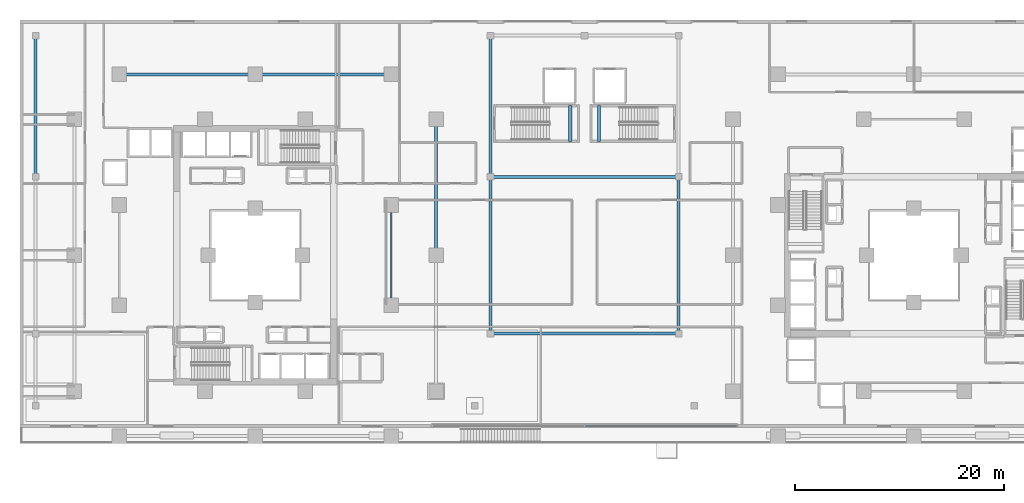
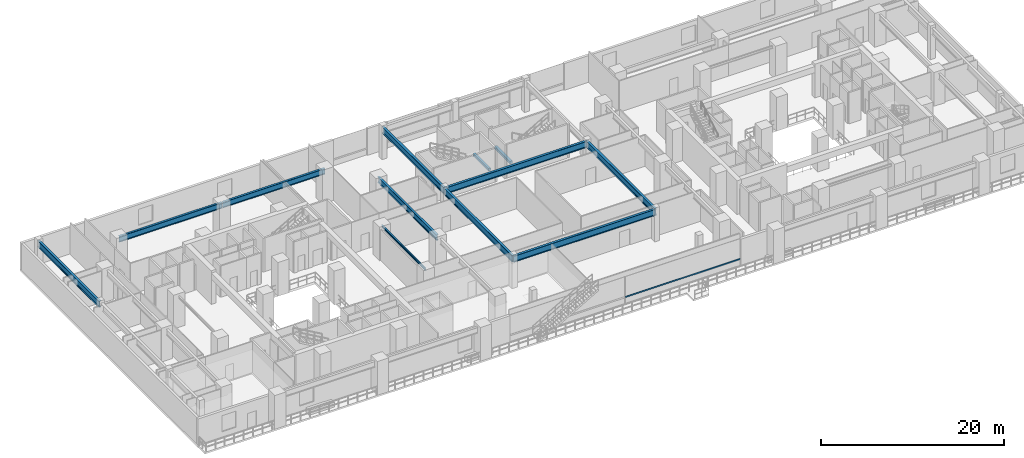
# One storey, part 3 of 22: 12 beams, 1 member, 1 element without a shape of its own.
"""IFC4 building model written with IfcOpenShell, lengths in metres."""

from ifc_helpers import new_model, si_unit, direction, frame, origin, origin_2d, place, context, subcontext, project, spatial, rectangle, hollow_rectangle, i_section, extrude, material, material_profile, profile_set, type_object, element, aggregate, save


model = new_model("IFC4")

# Units and contexts
model_context = context("Model", 3, precision=1e-05, world=origin(), true_north=direction((0.0, 1.0)))
body_context = subcontext(model_context, "Body", "Model", "MODEL_VIEW")
ifc_project = project(units=[si_unit("LENGTHUNIT", "METRE"), si_unit("AREAUNIT", "SQUARE_METRE"), si_unit("VOLUMEUNIT", "CUBIC_METRE"), si_unit("PLANEANGLEUNIT", "RADIAN"), si_unit("MASSUNIT", "GRAM", prefix="KILO")], contexts=[model_context])

# Site, building, storey
site_placement = place(None, origin())
site = spatial("IfcSite", under=ifc_project, at=site_placement, CompositionType="ELEMENT")
building_placement = place(site_placement, origin())
building = spatial("IfcBuilding", under=site, at=building_placement, Name="Thornwick Lancets Civic Towers", CompositionType="ELEMENT")
storey_placement = place(building_placement, frame((0.0, 0.0, 18.60009765625)))
storey = spatial("IfcBuildingStorey", under=building, at=storey_placement, Name="L04", CompositionType="ELEMENT", Elevation=18.60009765625)

# Beams
ifc_material_1 = material(Name="Steel S355JR", Category="steel")
ifc_material_profile_1 = material_profile(ifc_material_1, i_section(OverallWidth=0.26806640625, OverallDepth=0.769775390625, WebThickness=0.015625, FlangeThickness=0.025390625, FilletRadius=0.0166015625, at=origin_2d()), Name="UKB 762x267x197")
ifc_profile_set_1 = profile_set([ifc_material_profile_1], Name="Steel S355JR")
beam_type_1 = type_object("IfcBeamType", Name="BM_GIRD_762_197", PredefinedType="BEAM", material=ifc_profile_set_1)
beam_1_placement = place(storey_placement, frame((42.800048828125, 27.080078125, 3.794921875), z_axis=(0.0, 1.0, 0.0), x_axis=(-1.0, 0.0, 0.0)))
element("IfcBeam", 1, at=beam_1_placement, inside=storey, type_object=beam_type_1, Name="BM-SPINE-L04-A-4-5", PredefinedType="BEAM", context=body_context, shape_type="SweptSolid", body=[
    extrude(i_section(OverallWidth=0.26806640625, OverallDepth=0.769775390625, WebThickness=0.015625, FlangeThickness=0.025390625, FilletRadius=0.0166015625, at=origin_2d()), origin(), (0.0, 0.0, 1.0), 12.919921875),
])
beam_2_placement = place(storey_placement, frame((12.5, 44.300048828125, 3.794921875), z_axis=(1.0, 0.0, 0.0), x_axis=(0.0, 1.0, 0.0)))
element("IfcBeam", 2, at=beam_2_placement, inside=storey, type_object=beam_type_1, Name="BM-SPINE-L04-A-6-7", PredefinedType="BEAM", context=body_context, shape_type="SweptSolid", body=[
    extrude(i_section(OverallWidth=0.26806640625, OverallDepth=0.769775390625, WebThickness=0.015625, FlangeThickness=0.025390625, FilletRadius=0.0166015625, at=origin_2d()), origin(), (0.0, 0.0, 1.0), 13.0),
])
beam_3_placement = place(storey_placement, frame((25.580078125, 44.300048828125, 3.794921875), z_axis=(1.0, 0.0, 0.0), x_axis=(0.0, 1.0, 0.0)))
element("IfcBeam", 3, at=beam_3_placement, inside=storey, type_object=beam_type_1, Name="BM-SPINE-L04-A-7-8", PredefinedType="BEAM", context=body_context, shape_type="SweptSolid", body=[
    extrude(i_section(OverallWidth=0.26806640625, OverallDepth=0.769775390625, WebThickness=0.015625, FlangeThickness=0.025390625, FilletRadius=0.0166015625, at=origin_2d()), origin(), (0.0, 0.0, 1.0), 12.919921875),
])
ifc_material_profile_2 = material_profile(ifc_material_1, i_section(OverallWidth=0.1669921875, OverallDepth=0.310302734375, WebThickness=0.0078125, FlangeThickness=0.013671875, FilletRadius=0.0087890625, at=origin_2d()), Name="UKB 305x165x54")
ifc_profile_set_2 = profile_set([ifc_material_profile_2], Name="Steel S355JR")
beam_type_2 = type_object("IfcBeamType", Name="BM_LINTEL_305_54", PredefinedType="LINTEL", material=ifc_profile_set_2)
beam_4_placement = place(storey_placement, frame((38.5, 22.199951171875, 4.024658203125), z_axis=(0.0, 1.0, 0.0), x_axis=(-1.0, 0.0, 0.0)))
element("IfcBeam", 4, at=beam_4_placement, inside=storey, type_object=beam_type_2, Name="BM-INSP-L04-A-1-3", PredefinedType="LINTEL", context=body_context, shape_type="SweptSolid", body=[
    extrude(i_section(OverallWidth=0.1669921875, OverallDepth=0.310302734375, WebThickness=0.0078125, FlangeThickness=0.013671875, FilletRadius=0.0087890625, at=origin_2d()), origin(), (0.0, 0.0, 1.0), 9.60009765625),
])
ifc_material_profile_3 = material_profile(ifc_material_1, i_section(OverallWidth=0.293701171875, OverallDepth=0.850830078125, WebThickness=0.01611328125, FlangeThickness=0.02685546875, FilletRadius=0.017822265625, at=origin_2d()), Name="UKB 838x292x226")
ifc_profile_set_3 = profile_set([ifc_material_profile_3], Name="Steel S355JR")
beam_type_3 = type_object("IfcBeamType", Name="BM_POD_838_226", PredefinedType="BEAM", material=ifc_profile_set_3)
beam_5_placement = place(storey_placement, frame((4.5, 34.580078125, 3.75439453125), z_axis=(0.0, 1.0, 0.0), x_axis=(-1.0, 0.0, 0.0)))
element("IfcBeam", 5, at=beam_5_placement, inside=storey, type_object=beam_type_3, Name="BM-PODG-L04-5-6", PredefinedType="BEAM", context=body_context, shape_type="SweptSolid", body=[
    extrude(i_section(OverallWidth=0.293701171875, OverallDepth=0.850830078125, WebThickness=0.01611328125, FlangeThickness=0.02685546875, FilletRadius=0.017822265625, at=origin_2d()), origin(), (0.0, 0.0, 1.0), 13.419921875),
])
beam_6_placement = place(storey_placement, frame((48.0, 19.5, 3.75439453125), z_axis=(1.0, 0.0, 0.0), x_axis=(0.0, 1.0, 0.0)))
element("IfcBeam", 6, at=beam_6_placement, inside=storey, type_object=beam_type_3, Name="BM-PODG-L04-7-8", PredefinedType="BEAM", context=body_context, shape_type="SweptSolid", body=[
    extrude(i_section(OverallWidth=0.293701171875, OverallDepth=0.850830078125, WebThickness=0.01611328125, FlangeThickness=0.02685546875, FilletRadius=0.017822265625, at=origin_2d()), origin(), (0.0, 0.0, 1.0), 18.0),
])
for number, where, z_axis, x_axis, name in (
    (7, (48.0, 19.5, 3.75439453125), (0.0, 1.0, 0.0), (-1.0, 0.0, 0.0), "BM-PODG-L04-7-9"),
    (8, (66.0, 19.5, 3.75439453125), (0.0, 1.0, 0.0), (-1.0, 0.0, 0.0), "BM-PODG-L04-8-10"),
):
    element("IfcBeam", number, at=place(storey_placement, frame(where, z_axis=z_axis, x_axis=x_axis)), inside=storey, type_object=beam_type_3, Name=name, PredefinedType="BEAM", context=body_context, shape_type="SweptSolid", body=[
        extrude(i_section(OverallWidth=0.293701171875, OverallDepth=0.850830078125, WebThickness=0.01611328125, FlangeThickness=0.02685546875, FilletRadius=0.017822265625, at=origin_2d()), origin(), (0.0, 0.0, 1.0), 15.0),
    ])
beam_7_placement = place(storey_placement, frame((48.0, 34.5, 3.75439453125), z_axis=(1.0, 0.0, 0.0), x_axis=(0.0, 1.0, 0.0)))
element("IfcBeam", 9, at=beam_7_placement, inside=storey, type_object=beam_type_3, Name="BM-PODG-L04-9-10", PredefinedType="BEAM", context=body_context, shape_type="SweptSolid", body=[
    extrude(i_section(OverallWidth=0.293701171875, OverallDepth=0.850830078125, WebThickness=0.01611328125, FlangeThickness=0.02685546875, FilletRadius=0.017822265625, at=origin_2d()), origin(), (0.0, 0.0, 1.0), 18.0),
])
beam_8_placement = place(storey_placement, frame((48.0, 34.580078125, 3.75439453125), z_axis=(0.0, 1.0, 0.0), x_axis=(-1.0, 0.0, 0.0)))
element("IfcBeam", 10, at=beam_8_placement, inside=storey, type_object=beam_type_3, Name="BM-PODG-L04-9-11", PredefinedType="BEAM", context=body_context, shape_type="SweptSolid", body=[
    extrude(i_section(OverallWidth=0.293701171875, OverallDepth=0.850830078125, WebThickness=0.01611328125, FlangeThickness=0.02685546875, FilletRadius=0.017822265625, at=origin_2d()), origin(), (0.0, 0.0, 1.0), 13.419921875),
])
ifc_material_2 = material(Name="Concrete C40/50", Category="concrete")
ifc_material_profile_4 = material_profile(ifc_material_2, rectangle(XDim=0.300048828125, YDim=0.35009765625, at=origin_2d()), Name="RC 300x350")
ifc_profile_set_4 = profile_set([ifc_material_profile_4], Name="Concrete C40/50")
beam_type_4 = type_object("IfcBeamType", Name="BM_STAIR_LDG", PredefinedType="BEAM", material=ifc_profile_set_4)
for number, where, z_axis, x_axis, name in (
    (11, (55.635009765625, 37.89990234375, 1.827880859375), (0.0, 1.0, 0.0), (-1.0, 0.0, 0.0), "L04 ST-P5 Landing Support Beam 1"),
    (12, (58.364990234375, 41.300048828125, 1.827880859375), (0.0, -1.0, 0.0), (1.0, 0.0, 0.0), "L04 ST-P6 Landing Support Beam 1"),
):
    element("IfcBeam", number, at=place(storey_placement, frame(where, z_axis=z_axis, x_axis=x_axis)), inside=storey, type_object=beam_type_4, Name=name, PredefinedType="BEAM", context=body_context, shape_type="SweptSolid", body=[
        extrude(rectangle(XDim=0.300048828125, YDim=0.35009765625, at=origin_2d()), origin(), (0.0, 0.0, 1.0), 3.400146484375),
    ])

# Curtain wall, member
ifc_material_3 = material(Name="Terracotta-trimmed cascading podium ribbon curtain wall", Category="masonry")
curtain_wall_type = type_object("IfcCurtainWallType", Name="CW_SYS_02", PredefinedType="NOTDEFINED", material=ifc_material_3)
curtain_wall_placement = place(storey_placement, origin())
curtain_wall = element("IfcCurtainWall", 13, at=curtain_wall_placement, inside=storey, type_object=curtain_wall_type, Name="L04 Curtain Wall CW-L04-POD-SC", PredefinedType="NOTDEFINED")
ifc_material_4 = material(Name="Thermally broken bronze aluminium S355", Category="steel")
ifc_material_profile_5 = material_profile(ifc_material_4, hollow_rectangle(XDim=0.074951171875, YDim=0.179931640625, WallThickness=0.006103515625, at=origin_2d()), Name="RHS 180x75x6")
ifc_profile_set_5 = profile_set([ifc_material_profile_5], Name="Thermally broken bronze aluminium S355")
member_type = type_object("IfcMemberType", Name="CW_TRN_180", PredefinedType="USERDEFINED", material=ifc_profile_set_5)
member_placement = place(storey_placement, frame((57.02001953125, 10.659912109375, 0.849853515625), z_axis=(1.0, 0.0, 0.0), x_axis=(0.0, 1.0, 0.0)))
member = element("IfcMember", 14, at=member_placement, type_object=member_type, Name="CW-L04-POD-SC Transom 1", ObjectType="TRANSOM", PredefinedType="USERDEFINED", context=body_context, shape_type="SweptSolid", body=[
    extrude(hollow_rectangle(XDim=0.074951171875, YDim=0.179931640625, WallThickness=0.006103515625, at=origin_2d()), origin(), (0.0, 0.0, 1.0), 14.56005859375),
])
aggregate(curtain_wall, [member])

save(model, "model.ifc")
